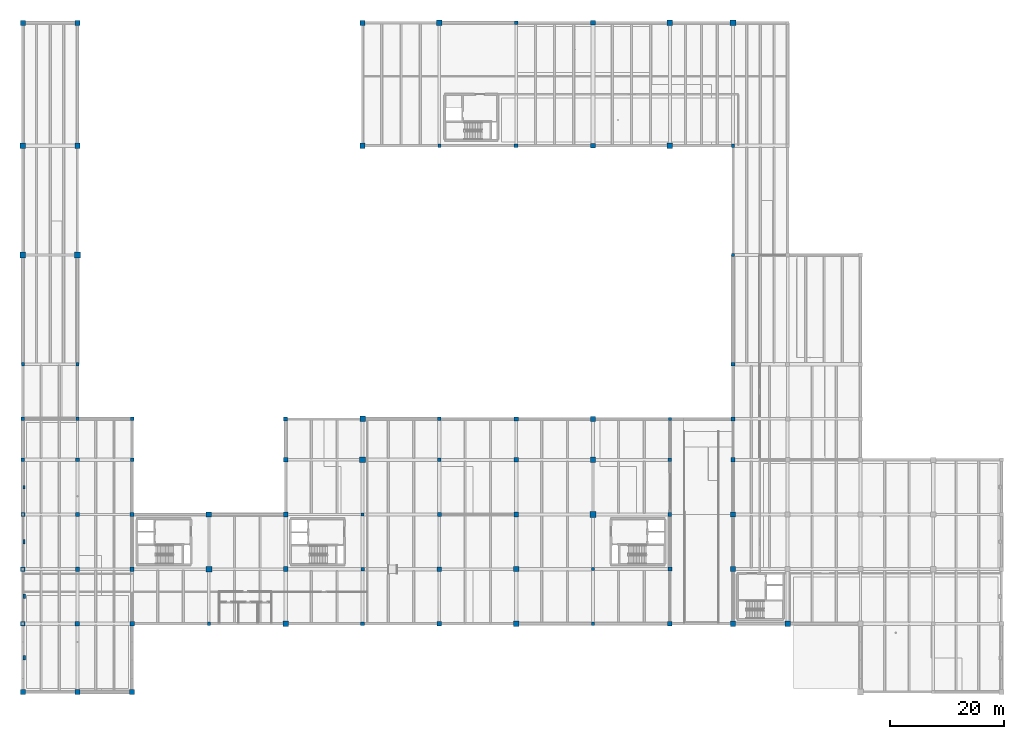
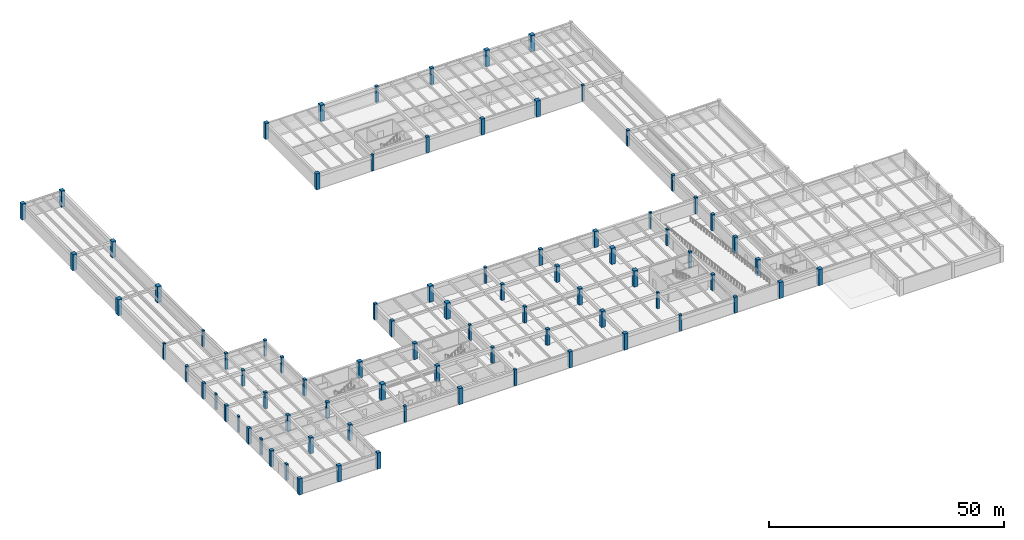
# One storey, part 1 of 28: 83 columns.
"""IFC4 building model written with IfcOpenShell, lengths in metres."""

from ifc_helpers import new_model, si_unit, direction, frame, origin, origin_2d, place, context, subcontext, project, spatial, rectangle, extrude, material, material_profile, profile_set, type_object, element, save


model = new_model("IFC4")

# Units and contexts
model_context = context("Model", 3, precision=1e-05, world=origin(), true_north=direction((0.0, 1.0)))
body_context = subcontext(model_context, "Body", "Model", "MODEL_VIEW")
ifc_project = project(units=[si_unit("LENGTHUNIT", "METRE"), si_unit("AREAUNIT", "SQUARE_METRE"), si_unit("VOLUMEUNIT", "CUBIC_METRE"), si_unit("PLANEANGLEUNIT", "RADIAN"), si_unit("MASSUNIT", "GRAM", prefix="KILO")], contexts=[model_context])

# Site, building, storey
site_placement = place(None, origin())
site = spatial("IfcSite", under=ifc_project, at=site_placement, CompositionType="ELEMENT")
building_placement = place(site_placement, origin())
building = spatial("IfcBuilding", under=site, at=building_placement, Name="Fikremerkos Civic Library", CompositionType="ELEMENT")
storey_placement = place(building_placement, frame((0.0, 0.0, -4.199951171875)))
storey = spatial("IfcBuildingStorey", under=building, at=storey_placement, Name="B01", CompositionType="ELEMENT", Elevation=-4.199951171875)

# Columns
ifc_material_1 = material(Name="Concrete C45/55", Category="concrete")
ifc_material_profile_1 = material_profile(ifc_material_1, rectangle(XDim=1.0, YDim=1.0, at=origin_2d()), Name="RC 1000x1000")
ifc_profile_set_1 = profile_set([ifc_material_profile_1], Name="Concrete C45/55")
column_type_1 = type_object("IfcColumnType", Name="Structural column COL-01 RC 1000x1000", PredefinedType="COLUMN", material=ifc_profile_set_1)
for number, where, z_axis, x_axis, name in (
    (1, (0.0, 76.800048828125, 0.0), (0.0, 0.0, 1.0), (1.0, 0.0, 0.0), "Column COL-01 B01 1/L"),
    (2, (9.60009765625, 76.800048828125, 0.0), (0.0, 0.0, 1.0), (1.0, 0.0, 0.0), "Column COL-01 B01 2/L"),
    (3, (32.699951171875, 21.60009765625, 0.0), (0.0, 0.0, 1.0), (1.0, 0.0, 0.0), "Column COL-01 B01 4/F"),
    (4, (59.699951171875, 40.800048828125, 0.0), (0.0, 0.0, 1.0), (1.0, 0.0, 0.0), "Column COL-01 B01 6/H"),
    (5, (73.199951171875, 117.60009765625, 0.0), (0.0, 0.0, 1.0), (1.0, 0.0, 0.0), "Column COL-01 B01 7/N"),
    (6, (100.199951171875, 31.199951171875, 0.0), (0.0, 0.0, 1.0), (1.0, 0.0, 0.0), "Column COL-01 B01 9/G"),
    (7, (113.699951171875, 96.0, 0.0), (0.0, 0.0, 1.0), (1.0, 0.0, 0.0), "Column COL-01 B01 10/M"),
    (8, (124.800048828125, 117.60009765625, 0.0), (0.0, 0.0, 1.0), (1.0, 0.0, 0.0), "Column COL-01 B01 11/N"),
):
    element("IfcColumn", number, at=place(storey_placement, frame(where, z_axis=z_axis, x_axis=x_axis)), inside=storey, type_object=column_type_1, Name=name, PredefinedType="COLUMN", context=body_context, shape_type="SweptSolid", body=[
        extrude(rectangle(XDim=1.0, YDim=1.0, at=origin_2d()), origin(), (0.0, 0.0, 1.0), 4.199951171875),
    ])
ifc_material_profile_2 = material_profile(ifc_material_1, rectangle(XDim=0.949951171875, YDim=0.949951171875, at=origin_2d()), Name="RC 950x950")
ifc_profile_set_2 = profile_set([ifc_material_profile_2], Name="Concrete C45/55")
column_type_2 = type_object("IfcColumnType", Name="Structural column COL-02 RC 950x950", PredefinedType="COLUMN", material=ifc_profile_set_2)
for number, where, z_axis, x_axis, name in (
    (9, (0.0, 96.0, 0.0), (0.0, 0.0, 1.0), (1.0, 0.0, 0.0), "Column COL-02 B01 1/M"),
    (10, (9.60009765625, 96.0, 0.0), (0.0, 0.0, 1.0), (1.0, 0.0, 0.0), "Column COL-02 B01 2/M"),
    (11, (32.699951171875, 31.199951171875, 0.0), (0.0, 0.0, 1.0), (1.0, 0.0, 0.0), "Column COL-02 B01 4/G"),
    (12, (59.699951171875, 48.0, 0.0), (0.0, 0.0, 1.0), (1.0, 0.0, 0.0), "Column COL-02 B01 6/J"),
    (13, (86.699951171875, 12.0, 0.0), (0.0, 0.0, 1.0), (1.0, 0.0, 0.0), "Column COL-02 B01 8/E"),
    (14, (100.199951171875, 40.800048828125, 0.0), (0.0, 0.0, 1.0), (1.0, 0.0, 0.0), "Column COL-02 B01 9/H"),
    (15, (113.699951171875, 117.60009765625, 0.0), (0.0, 0.0, 1.0), (1.0, 0.0, 0.0), "Column COL-02 B01 10/N"),
    (16, (134.39990234375, 12.0, 0.0), (0.0, 0.0, 1.0), (1.0, 0.0, 0.0), "Column COL-02 B01 12/E"),
):
    element("IfcColumn", number, at=place(storey_placement, frame(where, z_axis=z_axis, x_axis=x_axis)), inside=storey, type_object=column_type_2, Name=name, PredefinedType="COLUMN", context=body_context, shape_type="SweptSolid", body=[
        extrude(rectangle(XDim=0.949951171875, YDim=0.949951171875, at=origin_2d()), origin(), (0.0, 0.0, 1.0), 4.199951171875),
    ])
ifc_material_profile_3 = material_profile(ifc_material_1, rectangle(XDim=0.89990234375, YDim=0.89990234375, at=origin_2d()), Name="RC 900x900")
ifc_profile_set_3 = profile_set([ifc_material_profile_3], Name="Concrete C45/55")
column_type_3 = type_object("IfcColumnType", Name="Structural column COL-03 RC 900x900", PredefinedType="COLUMN", material=ifc_profile_set_3)
for number, where, z_axis, x_axis, name in (
    (17, (0.0, 117.60009765625, 0.0), (0.0, 0.0, 1.0), (1.0, 0.0, 0.0), "Column COL-03 B01 1/N"),
    (18, (9.60009765625, 117.60009765625, 0.0), (0.0, 0.0, 1.0), (1.0, 0.0, 0.0), "Column COL-03 B01 2/N"),
    (19, (46.199951171875, 12.0, 0.0), (0.0, 0.0, 1.0), (1.0, 0.0, 0.0), "Column COL-03 B01 5/E"),
    (20, (59.699951171875, 96.0, 0.0), (0.0, 0.0, 1.0), (1.0, 0.0, 0.0), "Column COL-03 B01 6/M"),
    (21, (86.699951171875, 21.60009765625, 0.0), (0.0, 0.0, 1.0), (1.0, 0.0, 0.0), "Column COL-03 B01 8/F"),
    (22, (100.199951171875, 48.0, 0.0), (0.0, 0.0, 1.0), (1.0, 0.0, 0.0), "Column COL-03 B01 9/J"),
    (23, (124.800048828125, 12.0, 0.0), (0.0, 0.0, 1.0), (1.0, 0.0, 0.0), "Column COL-03 B01 11/E"),
):
    element("IfcColumn", number, at=place(storey_placement, frame(where, z_axis=z_axis, x_axis=x_axis)), inside=storey, type_object=column_type_3, Name=name, PredefinedType="COLUMN", context=body_context, shape_type="SweptSolid", body=[
        extrude(rectangle(XDim=0.89990234375, YDim=0.89990234375, at=origin_2d()), origin(), (0.0, 0.0, 1.0), 4.199951171875),
    ])
ifc_material_2 = material(Name="Concrete C40/50", Category="concrete")
ifc_material_profile_4 = material_profile(ifc_material_2, rectangle(XDim=0.85009765625, YDim=0.85009765625, at=origin_2d()), Name="RC 850x850")
ifc_profile_set_4 = profile_set([ifc_material_profile_4], Name="Concrete C40/50")
column_type_4 = type_object("IfcColumnType", Name="Structural column COL-04 RC 850x850", PredefinedType="COLUMN", material=ifc_profile_set_4)
for number, where, z_axis, x_axis, name in (
    (24, (0.0, 0.0, 0.0), (0.0, 0.0, 1.0), (1.0, 0.0, 0.0), "Column COL-04 B01 1/A"),
    (25, (9.60009765625, 0.0, 0.0), (0.0, 0.0, 1.0), (1.0, 0.0, 0.0), "Column COL-04 B01 2/A"),
    (26, (19.199951171875, 0.0, 0.0), (0.0, 0.0, 1.0), (1.0, 0.0, 0.0), "Column COL-04 B01 3/A"),
    (27, (46.199951171875, 21.60009765625, 0.0), (0.0, 0.0, 1.0), (1.0, 0.0, 0.0), "Column COL-04 B01 5/F"),
    (28, (59.699951171875, 117.60009765625, 0.0), (0.0, 0.0, 1.0), (1.0, 0.0, 0.0), "Column COL-04 B01 6/N"),
    (29, (86.699951171875, 31.199951171875, 0.0), (0.0, 0.0, 1.0), (1.0, 0.0, 0.0), "Column COL-04 B01 8/G"),
    (30, (100.199951171875, 96.0, 0.0), (0.0, 0.0, 1.0), (1.0, 0.0, 0.0), "Column COL-04 B01 9/M"),
    (31, (124.800048828125, 21.60009765625, 0.0), (0.0, 0.0, 1.0), (1.0, 0.0, 0.0), "Column COL-04 B01 11/F"),
):
    element("IfcColumn", number, at=place(storey_placement, frame(where, z_axis=z_axis, x_axis=x_axis)), inside=storey, type_object=column_type_4, Name=name, PredefinedType="COLUMN", context=body_context, shape_type="SweptSolid", body=[
        extrude(rectangle(XDim=0.85009765625, YDim=0.85009765625, at=origin_2d()), origin(), (0.0, 0.0, 1.0), 4.199951171875),
    ])
ifc_material_profile_5 = material_profile(ifc_material_2, rectangle(XDim=0.800048828125, YDim=0.800048828125, at=origin_2d()), Name="RC 800x800")
ifc_profile_set_5 = profile_set([ifc_material_profile_5], Name="Concrete C40/50")
column_type_5 = type_object("IfcColumnType", Name="Structural column COL-05 RC 800x800", PredefinedType="COLUMN", material=ifc_profile_set_5)
for number, where, z_axis, x_axis, name in (
    (32, (0.0, 12.0, 0.0), (0.0, 0.0, 1.0), (1.0, 0.0, 0.0), "Column COL-05 B01 1/E"),
    (33, (9.60009765625, 12.0, 0.0), (0.0, 0.0, 1.0), (1.0, 0.0, 0.0), "Column COL-05 B01 2/E"),
    (34, (19.199951171875, 12.0, 0.0), (0.0, 0.0, 1.0), (1.0, 0.0, 0.0), "Column COL-05 B01 3/E"),
    (35, (46.199951171875, 31.199951171875, 0.0), (0.0, 0.0, 1.0), (1.0, 0.0, 0.0), "Column COL-05 B01 5/G"),
    (36, (73.199951171875, 12.0, 0.0), (0.0, 0.0, 1.0), (1.0, 0.0, 0.0), "Column COL-05 B01 7/E"),
    (37, (86.699951171875, 40.800048828125, 0.0), (0.0, 0.0, 1.0), (1.0, 0.0, 0.0), "Column COL-05 B01 8/H"),
    (38, (100.199951171875, 117.60009765625, 0.0), (0.0, 0.0, 1.0), (1.0, 0.0, 0.0), "Column COL-05 B01 9/N"),
    (39, (124.800048828125, 31.199951171875, 0.0), (0.0, 0.0, 1.0), (1.0, 0.0, 0.0), "Column COL-05 B01 11/G"),
):
    element("IfcColumn", number, at=place(storey_placement, frame(where, z_axis=z_axis, x_axis=x_axis)), inside=storey, type_object=column_type_5, Name=name, PredefinedType="COLUMN", context=body_context, shape_type="SweptSolid", body=[
        extrude(rectangle(XDim=0.800048828125, YDim=0.800048828125, at=origin_2d()), origin(), (0.0, 0.0, 1.0), 4.199951171875),
    ])
ifc_material_profile_6 = material_profile(ifc_material_2, rectangle(XDim=0.75, YDim=0.75, at=origin_2d()), Name="RC 750x750")
ifc_profile_set_6 = profile_set([ifc_material_profile_6], Name="Concrete C40/50")
column_type_6 = type_object("IfcColumnType", Name="Structural column COL-06 RC 750x750", PredefinedType="COLUMN", material=ifc_profile_set_6)
for number, where, z_axis, x_axis, name in (
    (40, (0.0, 21.60009765625, 0.0), (0.0, 0.0, 1.0), (1.0, 0.0, 0.0), "Column COL-06 B01 1/F"),
    (41, (9.60009765625, 21.60009765625, 0.0), (0.0, 0.0, 1.0), (1.0, 0.0, 0.0), "Column COL-06 B01 2/F"),
    (42, (19.199951171875, 21.60009765625, 0.0), (0.0, 0.0, 1.0), (1.0, 0.0, 0.0), "Column COL-06 B01 3/F"),
    (43, (46.199951171875, 40.800048828125, 0.0), (0.0, 0.0, 1.0), (1.0, 0.0, 0.0), "Column COL-06 B01 5/H"),
    (44, (73.199951171875, 21.60009765625, 0.0), (0.0, 0.0, 1.0), (1.0, 0.0, 0.0), "Column COL-06 B01 7/F"),
    (45, (86.699951171875, 48.0, 0.0), (0.0, 0.0, 1.0), (1.0, 0.0, 0.0), "Column COL-06 B01 8/J"),
    (46, (113.699951171875, 12.0, 0.0), (0.0, 0.0, 1.0), (1.0, 0.0, 0.0), "Column COL-06 B01 10/E"),
    (47, (124.800048828125, 40.800048828125, 0.0), (0.0, 0.0, 1.0), (1.0, 0.0, 0.0), "Column COL-06 B01 11/H"),
):
    element("IfcColumn", number, at=place(storey_placement, frame(where, z_axis=z_axis, x_axis=x_axis)), inside=storey, type_object=column_type_6, Name=name, PredefinedType="COLUMN", context=body_context, shape_type="SweptSolid", body=[
        extrude(rectangle(XDim=0.75, YDim=0.75, at=origin_2d()), origin(), (0.0, 0.0, 1.0), 4.199951171875),
    ])
ifc_material_profile_7 = material_profile(ifc_material_2, rectangle(XDim=0.699951171875, YDim=0.699951171875, at=origin_2d()), Name="RC 700x700")
ifc_profile_set_7 = profile_set([ifc_material_profile_7], Name="Concrete C40/50")
column_type_7 = type_object("IfcColumnType", Name="Structural column COL-07 RC 700x700", PredefinedType="COLUMN", material=ifc_profile_set_7)
for number, where, z_axis, x_axis, name in (
    (48, (0.0, 31.199951171875, 0.0), (0.0, 0.0, 1.0), (1.0, 0.0, 0.0), "Column COL-07 B01 1/G"),
    (49, (9.60009765625, 31.199951171875, 0.0), (0.0, 0.0, 1.0), (1.0, 0.0, 0.0), "Column COL-07 B01 2/G"),
    (50, (19.199951171875, 31.199951171875, 0.0), (0.0, 0.0, 1.0), (1.0, 0.0, 0.0), "Column COL-07 B01 3/G"),
    (51, (46.199951171875, 48.0, 0.0), (0.0, 0.0, 1.0), (1.0, 0.0, 0.0), "Column COL-07 B01 5/J"),
    (52, (73.199951171875, 31.199951171875, 0.0), (0.0, 0.0, 1.0), (1.0, 0.0, 0.0), "Column COL-07 B01 7/G"),
    (53, (86.699951171875, 96.0, 0.0), (0.0, 0.0, 1.0), (1.0, 0.0, 0.0), "Column COL-07 B01 8/M"),
    (54, (113.699951171875, 21.60009765625, 0.0), (0.0, 0.0, 1.0), (1.0, 0.0, 0.0), "Column COL-07 B01 10/F"),
    (55, (124.800048828125, 48.0, 0.0), (0.0, 0.0, 1.0), (1.0, 0.0, 0.0), "Column COL-07 B01 11/J"),
):
    element("IfcColumn", number, at=place(storey_placement, frame(where, z_axis=z_axis, x_axis=x_axis)), inside=storey, type_object=column_type_7, Name=name, PredefinedType="COLUMN", context=body_context, shape_type="SweptSolid", body=[
        extrude(rectangle(XDim=0.699951171875, YDim=0.699951171875, at=origin_2d()), origin(), (0.0, 0.0, 1.0), 4.199951171875),
    ])
ifc_material_profile_8 = material_profile(ifc_material_2, rectangle(XDim=0.64990234375, YDim=0.64990234375, at=origin_2d()), Name="RC 650x650")
ifc_profile_set_8 = profile_set([ifc_material_profile_8], Name="Concrete C40/50")
column_type_8 = type_object("IfcColumnType", Name="Structural column COL-08 RC 650x650", PredefinedType="COLUMN", material=ifc_profile_set_8)
for number, where, z_axis, x_axis, name in (
    (56, (0.0, 40.800048828125, 0.0), (0.0, 0.0, 1.0), (1.0, 0.0, 0.0), "Column COL-08 B01 1/H"),
    (57, (9.60009765625, 40.800048828125, 0.0), (0.0, 0.0, 1.0), (1.0, 0.0, 0.0), "Column COL-08 B01 2/H"),
    (58, (19.199951171875, 40.800048828125, 0.0), (0.0, 0.0, 1.0), (1.0, 0.0, 0.0), "Column COL-08 B01 3/H"),
    (59, (59.699951171875, 12.0, 0.0), (0.0, 0.0, 1.0), (1.0, 0.0, 0.0), "Column COL-08 B01 6/E"),
    (60, (73.199951171875, 40.800048828125, 0.0), (0.0, 0.0, 1.0), (1.0, 0.0, 0.0), "Column COL-08 B01 7/H"),
    (61, (86.699951171875, 117.60009765625, 0.0), (0.0, 0.0, 1.0), (1.0, 0.0, 0.0), "Column COL-08 B01 8/N"),
    (62, (113.699951171875, 31.199951171875, 0.0), (0.0, 0.0, 1.0), (1.0, 0.0, 0.0), "Column COL-08 B01 10/G"),
    (63, (124.800048828125, 57.60009765625, 0.0), (0.0, 0.0, 1.0), (1.0, 0.0, 0.0), "Column COL-08 B01 11/K"),
):
    element("IfcColumn", number, at=place(storey_placement, frame(where, z_axis=z_axis, x_axis=x_axis)), inside=storey, type_object=column_type_8, Name=name, PredefinedType="COLUMN", context=body_context, shape_type="SweptSolid", body=[
        extrude(rectangle(XDim=0.64990234375, YDim=0.64990234375, at=origin_2d()), origin(), (0.0, 0.0, 1.0), 4.199951171875),
    ])
ifc_material_profile_9 = material_profile(ifc_material_2, rectangle(XDim=0.60009765625, YDim=0.60009765625, at=origin_2d()), Name="RC 600x600")
ifc_profile_set_9 = profile_set([ifc_material_profile_9], Name="Concrete C40/50")
column_type_9 = type_object("IfcColumnType", Name="Structural column COL-09 RC 600x600", PredefinedType="COLUMN", material=ifc_profile_set_9)
for number, where, z_axis, x_axis, name in (
    (64, (0.0, 48.0, 0.0), (0.0, 0.0, 1.0), (1.0, 0.0, 0.0), "Column COL-09 B01 1/J"),
    (65, (9.60009765625, 48.0, 0.0), (0.0, 0.0, 1.0), (1.0, 0.0, 0.0), "Column COL-09 B01 2/J"),
    (66, (19.199951171875, 48.0, 0.0), (0.0, 0.0, 1.0), (1.0, 0.0, 0.0), "Column COL-09 B01 3/J"),
    (67, (59.699951171875, 21.60009765625, 0.0), (0.0, 0.0, 1.0), (1.0, 0.0, 0.0), "Column COL-09 B01 6/F"),
    (68, (73.199951171875, 48.0, 0.0), (0.0, 0.0, 1.0), (1.0, 0.0, 0.0), "Column COL-09 B01 7/J"),
    (69, (100.199951171875, 12.0, 0.0), (0.0, 0.0, 1.0), (1.0, 0.0, 0.0), "Column COL-09 B01 9/E"),
    (70, (113.699951171875, 40.800048828125, 0.0), (0.0, 0.0, 1.0), (1.0, 0.0, 0.0), "Column COL-09 B01 10/H"),
    (71, (124.800048828125, 76.800048828125, 0.0), (0.0, 0.0, 1.0), (1.0, 0.0, 0.0), "Column COL-09 B01 11/L"),
):
    element("IfcColumn", number, at=place(storey_placement, frame(where, z_axis=z_axis, x_axis=x_axis)), inside=storey, type_object=column_type_9, Name=name, PredefinedType="COLUMN", context=body_context, shape_type="SweptSolid", body=[
        extrude(rectangle(XDim=0.60009765625, YDim=0.60009765625, at=origin_2d()), origin(), (0.0, 0.0, 1.0), 4.199951171875),
    ])
ifc_material_profile_10 = material_profile(ifc_material_2, rectangle(XDim=0.550048828125, YDim=0.550048828125, at=origin_2d()), Name="RC 550x550")
ifc_profile_set_10 = profile_set([ifc_material_profile_10], Name="Concrete C40/50")
column_type_10 = type_object("IfcColumnType", Name="Structural column COL-10 RC 550x550", PredefinedType="COLUMN", material=ifc_profile_set_10)
for number, where, z_axis, x_axis, name in (
    (72, (0.0, 57.60009765625, 0.0), (0.0, 0.0, 1.0), (1.0, 0.0, 0.0), "Column COL-10 B01 1/K"),
    (73, (9.60009765625, 57.60009765625, 0.0), (0.0, 0.0, 1.0), (1.0, 0.0, 0.0), "Column COL-10 B01 2/K"),
    (74, (32.699951171875, 12.0, 0.0), (0.0, 0.0, 1.0), (1.0, 0.0, 0.0), "Column COL-10 B01 4/E"),
    (75, (59.699951171875, 31.199951171875, 0.0), (0.0, 0.0, 1.0), (1.0, 0.0, 0.0), "Column COL-10 B01 6/G"),
    (76, (73.199951171875, 96.0, 0.0), (0.0, 0.0, 1.0), (1.0, 0.0, 0.0), "Column COL-10 B01 7/M"),
    (77, (100.199951171875, 21.60009765625, 0.0), (0.0, 0.0, 1.0), (1.0, 0.0, 0.0), "Column COL-10 B01 9/F"),
    (78, (113.699951171875, 48.0, 0.0), (0.0, 0.0, 1.0), (1.0, 0.0, 0.0), "Column COL-10 B01 10/J"),
    (79, (124.800048828125, 96.0, 0.0), (0.0, 0.0, 1.0), (1.0, 0.0, 0.0), "Column COL-10 B01 11/M"),
):
    element("IfcColumn", number, at=place(storey_placement, frame(where, z_axis=z_axis, x_axis=x_axis)), inside=storey, type_object=column_type_10, Name=name, PredefinedType="COLUMN", context=body_context, shape_type="SweptSolid", body=[
        extrude(rectangle(XDim=0.550048828125, YDim=0.550048828125, at=origin_2d()), origin(), (0.0, 0.0, 1.0), 4.199951171875),
    ])
ifc_material_profile_11 = material_profile(ifc_material_2, rectangle(XDim=0.449951171875, YDim=0.800048828125, at=origin_2d()), Name="RC 450x800")
ifc_profile_set_11 = profile_set([ifc_material_profile_11], Name="Concrete C40/50")
column_type_11 = type_object("IfcColumnType", Name="Wall pilaster PIL-01 RC 450x800", PredefinedType="PILASTER", material=ifc_profile_set_11)
for number, where, z_axis, x_axis, name in (
    (80, (0.219970703125, 6.0, 0.0), (0.0, 0.0, 1.0), (1.0, 0.0, 0.0), "Wall pilaster PIL-01 B01 W1"),
    (81, (0.219970703125, 16.800048828125, 0.0), (0.0, 0.0, 1.0), (1.0, 0.0, 0.0), "Wall pilaster PIL-01 B01 W2"),
):
    element("IfcColumn", number, at=place(storey_placement, frame(where, z_axis=z_axis, x_axis=x_axis)), inside=storey, type_object=column_type_11, Name=name, PredefinedType="PILASTER", context=body_context, shape_type="SweptSolid", body=[
        extrude(rectangle(XDim=0.449951171875, YDim=0.800048828125, at=origin_2d()), origin(), (0.0, 0.0, 1.0), 4.199951171875),
    ])
ifc_material_profile_12 = material_profile(ifc_material_2, rectangle(XDim=0.39990234375, YDim=0.75, at=origin_2d()), Name="RC 400x750")
ifc_profile_set_12 = profile_set([ifc_material_profile_12], Name="Concrete C40/50")
column_type_12 = type_object("IfcColumnType", Name="Wall pilaster PIL-02 RC 400x750", PredefinedType="PILASTER", material=ifc_profile_set_12)
column_1_placement = place(storey_placement, frame((0.219970703125, 26.39990234375, 0.0), z_axis=(0.0, 0.0, 1.0), x_axis=(1.0, 0.0, 0.0)))
element("IfcColumn", 82, at=column_1_placement, inside=storey, type_object=column_type_12, Name="Wall pilaster PIL-02 B01 W3", PredefinedType="PILASTER", context=body_context, shape_type="SweptSolid", body=[
    extrude(rectangle(XDim=0.39990234375, YDim=0.75, at=origin_2d()), origin(), (0.0, 0.0, 1.0), 4.199951171875),
])
ifc_material_profile_13 = material_profile(ifc_material_2, rectangle(XDim=0.39990234375, YDim=0.64990234375, at=origin_2d()), Name="RC 400x650")
ifc_profile_set_13 = profile_set([ifc_material_profile_13], Name="Concrete C40/50")
column_type_13 = type_object("IfcColumnType", Name="Wall pilaster PIL-03 RC 400x650", PredefinedType="PILASTER", material=ifc_profile_set_13)
column_2_placement = place(storey_placement, frame((0.219970703125, 36.0, 0.0), z_axis=(0.0, 0.0, 1.0), x_axis=(1.0, 0.0, 0.0)))
element("IfcColumn", 83, at=column_2_placement, inside=storey, type_object=column_type_13, Name="Wall pilaster PIL-03 B01 W4", PredefinedType="PILASTER", context=body_context, shape_type="SweptSolid", body=[
    extrude(rectangle(XDim=0.39990234375, YDim=0.64990234375, at=origin_2d()), origin(), (0.0, 0.0, 1.0), 4.199951171875),
])

save(model, "model.ifc")
